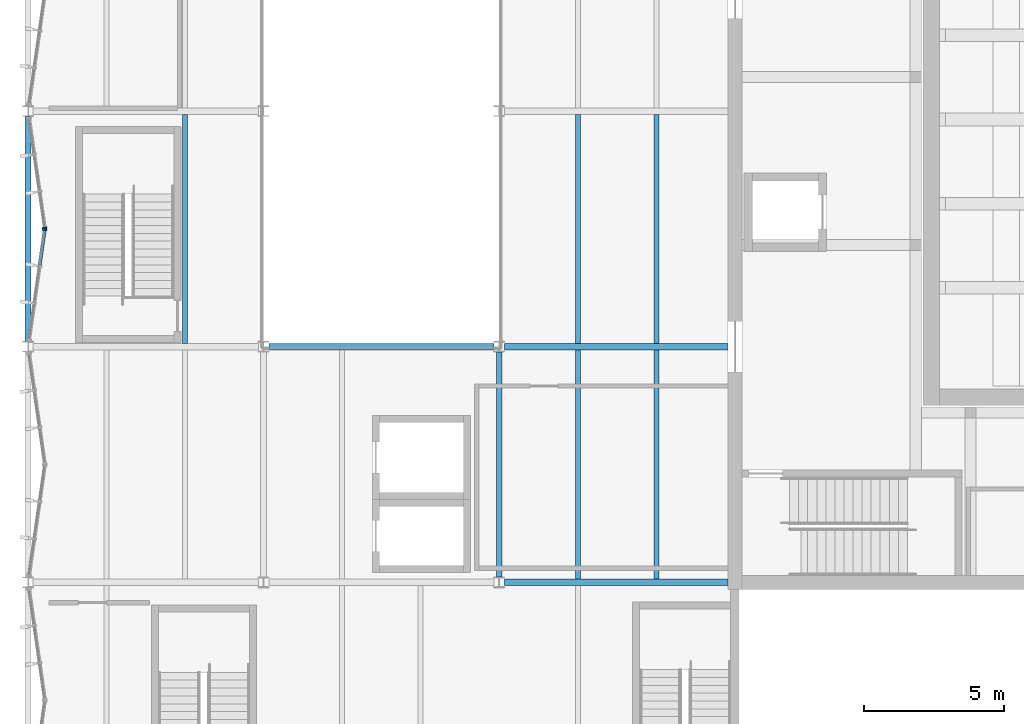
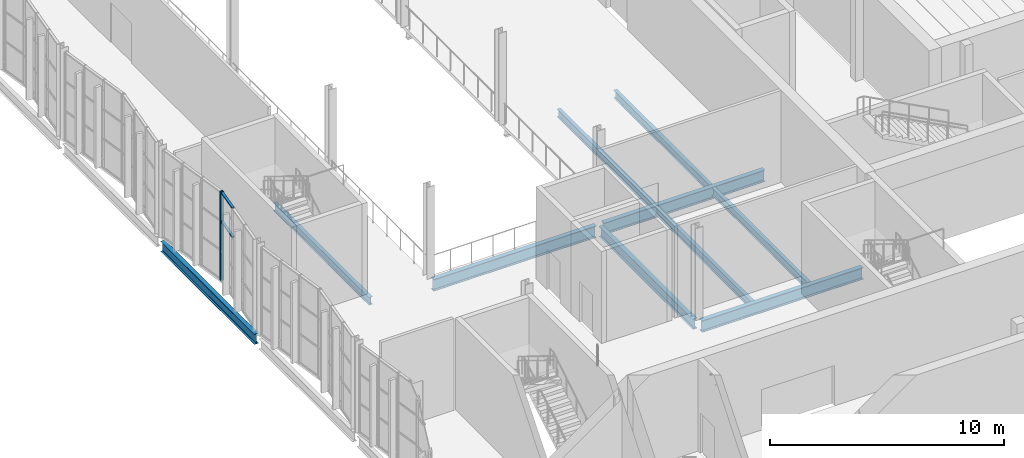
# One storey, part 20 of 127: 10 beams, 4 members, 2 elements without a shape of their own.
"""IFC4 building model written with IfcOpenShell, lengths in metres."""

from ifc_helpers import new_model, si_unit, direction, frame, origin, origin_2d, place, context, subcontext, project, spatial, rectangle, i_section, extrude, material, material_profile, profile_set, type_object, element, aggregate, save


model = new_model("IFC4")

# Units and contexts
model_context = context("Model", 3, precision=1e-05, world=origin(), true_north=direction((0.0, 1.0)))
body_context = subcontext(model_context, "Body", "Model", "MODEL_VIEW")
ifc_project = project(units=[si_unit("LENGTHUNIT", "METRE"), si_unit("AREAUNIT", "SQUARE_METRE"), si_unit("VOLUMEUNIT", "CUBIC_METRE"), si_unit("PLANEANGLEUNIT", "RADIAN"), si_unit("MASSUNIT", "GRAM", prefix="KILO")], contexts=[model_context])

# Site, building, storey
site_placement = place(None, origin())
site = spatial("IfcSite", under=ifc_project, at=site_placement, CompositionType="ELEMENT")
building_placement = place(site_placement, origin())
building = spatial("IfcBuilding", under=site, at=building_placement, Name="Ljudholm Concert House", CompositionType="ELEMENT")
storey_placement = place(building_placement, frame((0.0, 0.0, 5.39990234375)))
storey = spatial("IfcBuildingStorey", under=building, at=storey_placement, Name="L01", CompositionType="ELEMENT", Elevation=5.39990234375)

# Curtain wall, member
ifc_material_1 = material(Name="Aluminium curtain wall with impact-rated laminated glass", Category="aluminium")
curtain_wall_type = type_object("IfcCurtainWallType", Name="CURTAIN WALL 1400", PredefinedType="NOTDEFINED", material=ifc_material_1)
curtain_wall_1_placement = place(storey_placement, origin())
curtain_wall_1 = element("IfcCurtainWall", 1, at=curtain_wall_1_placement, inside=storey, type_object=curtain_wall_type, Name="Facade curtain wall", PredefinedType="NOTDEFINED")
ifc_material_2 = material(Name="Aluminium extrusion", Category="aluminium")
ifc_material_profile_1 = material_profile(ifc_material_2, rectangle(XDim=0.159912109375, YDim=0.06005859375, at=origin_2d()), Name="MULLION 60x160")
ifc_profile_set_1 = profile_set([ifc_material_profile_1], Name="Aluminium extrusion")
member_type_1 = type_object("IfcMemberType", Name="MULLION 60x160", PredefinedType="MULLION", material=ifc_profile_set_1)
member_1_placement = place(storey_placement, frame((4.595703125, 66.97021484375, 0.0), z_axis=(0.0, 0.0, 1.0), x_axis=(-0.989949493647, 0.141421356338, 0.0)))
member_1 = element("IfcMember", 2, at=member_1_placement, type_object=member_type_1, Name="Mullion", PredefinedType="MULLION", context=body_context, shape_type="SweptSolid", body=[
    extrude(rectangle(XDim=0.159912109375, YDim=0.06005859375, at=origin_2d()), origin(), (0.0, 0.0, 1.0), 4.6201171875),
])

curtain_wall_2_placement = place(storey_placement, origin())
curtain_wall_2 = element("IfcCurtainWall", 3, at=curtain_wall_2_placement, inside=storey, type_object=curtain_wall_type, Name="Facade curtain wall", PredefinedType="NOTDEFINED")
member_2_placement = place(storey_placement, frame((4.595703125, 67.02978515625, 0.0), z_axis=(0.0, 0.0, 1.0), x_axis=(-0.989949493647, -0.141421356338, 0.0)))
member_2 = element("IfcMember", 4, at=member_2_placement, type_object=member_type_1, Name="Mullion", PredefinedType="MULLION", context=body_context, shape_type="SweptSolid", body=[
    extrude(rectangle(XDim=0.159912109375, YDim=0.06005859375, at=origin_2d()), origin(), (0.0, 0.0, 1.0), 4.6201171875),
])
aggregate(curtain_wall_2, [member_2])

# Beams
ifc_material_3 = material(Name="Steel ASTM A992", Category="steel")
ifc_material_profile_2 = material_profile(ifc_material_3, i_section(OverallWidth=0.177734375, OverallDepth=0.406494140625, WebThickness=0.0078125, FlangeThickness=0.012939453125, FilletRadius=0.01025390625, at=origin_2d()), Name="W16X40")
ifc_profile_set_2 = profile_set([ifc_material_profile_2], Name="Steel ASTM A992")
beam_type_1 = type_object("IfcBeamType", Name="STEEL BEAM W16X40", PredefinedType="BEAM", material=ifc_profile_set_2)
for number, where, z_axis, x_axis, name in (
    (5, (9.60009765625, 62.91455078125, -0.383056640625), (0.0, 1.0, 0.0), (-1.0, 0.0, 0.0), "Secondary beam"),
    (6, (23.60009765625, 54.5146484375, -0.383056640625), (0.0, 1.0, 0.0), (-1.0, 0.0, 0.0), "Secondary beam"),
    (7, (23.60009765625, 62.91455078125, -0.383056640625), (0.0, 1.0, 0.0), (-1.0, 0.0, 0.0), "Secondary beam"),
    (8, (26.39990234375, 54.5146484375, -0.383056640625), (0.0, 1.0, 0.0), (-1.0, 0.0, 0.0), "Secondary beam"),
    (9, (26.39990234375, 62.91455078125, -0.383056640625), (0.0, 1.0, 0.0), (-1.0, 0.0, 0.0), "Secondary beam"),
):
    element("IfcBeam", number, at=place(storey_placement, frame(where, z_axis=z_axis, x_axis=x_axis)), inside=storey, type_object=beam_type_1, Name=name, PredefinedType="BEAM", context=body_context, shape_type="SweptSolid", body=[
        extrude(i_section(OverallWidth=0.177734375, OverallDepth=0.406494140625, WebThickness=0.0078125, FlangeThickness=0.012939453125, FilletRadius=0.01025390625, at=origin_2d()), origin(), (0.0, 0.0, 1.0), 8.1708984375),
    ])
ifc_material_4 = material(Name="Steel ASTM A992", Category="steel")
ifc_material_profile_3 = material_profile(ifc_material_4, i_section(OverallWidth=0.209228515625, OverallDepth=0.533447265625, WebThickness=0.01025390625, FlangeThickness=0.015625, FilletRadius=0.012939453125, at=origin_2d()), Name="W21X62")
ifc_profile_set_3 = profile_set([ifc_material_profile_3], Name="Steel ASTM A992")
beam_type_2 = type_object("IfcBeamType", Name="STEEL BEAM W21X62", PredefinedType="BEAM", material=ifc_profile_set_3)
beam_1_placement = place(storey_placement, frame((4.0, 62.986572265625, -0.446533203125), z_axis=(0.0, 1.0, 0.0), x_axis=(-1.0, 0.0, 0.0)))
element("IfcBeam", 10, at=beam_1_placement, inside=storey, type_object=beam_type_2, Name="Floor edge beam", PredefinedType="BEAM", context=body_context, shape_type="SweptSolid", body=[
    extrude(i_section(OverallWidth=0.209228515625, OverallDepth=0.533447265625, WebThickness=0.01025390625, FlangeThickness=0.015625, FilletRadius=0.012939453125, at=origin_2d()), origin(), (0.0, 0.0, 1.0), 8.02685546875),
])
beam_2_placement = place(storey_placement, frame((20.800048828125, 54.586669921875, -0.446533203125), z_axis=(0.0, 1.0, 0.0), x_axis=(-1.0, 0.0, 0.0)))
element("IfcBeam", 11, at=beam_2_placement, inside=storey, type_object=beam_type_2, Name="Floor edge beam", PredefinedType="BEAM", context=body_context, shape_type="SweptSolid", body=[
    extrude(i_section(OverallWidth=0.209228515625, OverallDepth=0.533447265625, WebThickness=0.01025390625, FlangeThickness=0.015625, FilletRadius=0.012939453125, at=origin_2d()), origin(), (0.0, 0.0, 1.0), 8.026611328125),
])
ifc_material_5 = material(Name="Steel ASTM A992", Category="steel")
ifc_material_profile_4 = material_profile(ifc_material_5, i_section(OverallWidth=0.22900390625, OverallDepth=0.612060546875, WebThickness=0.011962890625, FlangeThickness=0.01953125, FilletRadius=0.0126953125, at=origin_2d()), Name="W24X84")
ifc_profile_set_4 = profile_set([ifc_material_profile_4], Name="Steel ASTM A992")
beam_type_3 = type_object("IfcBeamType", Name="STEEL BEAM W24X84", PredefinedType="BEAM", material=ifc_profile_set_4)
beam_3_placement = place(storey_placement, frame((20.986572265625, 54.39990234375, -0.486083984375), z_axis=(1.0, 0.0, 0.0), x_axis=(0.0, 1.0, 0.0)))
element("IfcBeam", 12, at=beam_3_placement, inside=storey, type_object=beam_type_3, Name="Floor girder", PredefinedType="BEAM", context=body_context, shape_type="SweptSolid", body=[
    extrude(i_section(OverallWidth=0.22900390625, OverallDepth=0.612060546875, WebThickness=0.011962890625, FlangeThickness=0.01953125, FilletRadius=0.0126953125, at=origin_2d()), origin(), (0.0, 0.0, 1.0), 7.96337890625),
])
beam_4_placement = place(storey_placement, frame((12.586669921875, 62.800048828125, -0.486083984375), z_axis=(1.0, 0.0, 0.0), x_axis=(0.0, 1.0, 0.0)))
element("IfcBeam", 13, at=beam_4_placement, inside=storey, type_object=beam_type_3, Name="Floor girder", PredefinedType="BEAM", context=body_context, shape_type="SweptSolid", body=[
    extrude(i_section(OverallWidth=0.22900390625, OverallDepth=0.612060546875, WebThickness=0.011962890625, FlangeThickness=0.01953125, FilletRadius=0.0126953125, at=origin_2d()), origin(), (0.0, 0.0, 1.0), 8.026611328125),
])
beam_5_placement = place(storey_placement, frame((20.986572265625, 62.800048828125, -0.486083984375), z_axis=(1.0, 0.0, 0.0), x_axis=(0.0, 1.0, 0.0)))
element("IfcBeam", 14, at=beam_5_placement, inside=storey, type_object=beam_type_3, Name="Floor girder", PredefinedType="BEAM", context=body_context, shape_type="SweptSolid", body=[
    extrude(i_section(OverallWidth=0.22900390625, OverallDepth=0.612060546875, WebThickness=0.011962890625, FlangeThickness=0.01953125, FilletRadius=0.0126953125, at=origin_2d()), origin(), (0.0, 0.0, 1.0), 7.96337890625),
])

# Member
ifc_material_6 = material(Name="Aluminium extrusion", Category="aluminium")
ifc_material_profile_5 = material_profile(ifc_material_6, rectangle(XDim=0.1201171875, YDim=0.06005859375, at=origin_2d()), Name="TRANSOM 60x120")
ifc_profile_set_5 = profile_set([ifc_material_profile_5], Name="Aluminium extrusion")
member_type_2 = type_object("IfcMemberType", Name="TRANSOM 60x120", PredefinedType="USERDEFINED", material=ifc_profile_set_5)
member_3_placement = place(storey_placement, frame((4.41455078125, 65.702392578125, 3.080078125), z_axis=(0.141503330095, 0.989937779647, 0.0), x_axis=(-0.989937779647, 0.141503330095, 0.0)))
member_3 = element("IfcMember", 15, at=member_3_placement, type_object=member_type_2, Name="Transom", ObjectType="TRANSOM", PredefinedType="USERDEFINED", context=body_context, shape_type="SweptSolid", body=[
    extrude(rectangle(XDim=0.1201171875, YDim=0.06005859375, at=origin_2d()), origin(), (0.0, 0.0, 1.0), 1.2509765625),
])

member_4_placement = place(storey_placement, frame((4.41455078125, 65.702392578125, 4.590087890625), z_axis=(0.141503330095, 0.989937779647, 0.0), x_axis=(-0.989937779647, 0.141503330095, 0.0)))
member_4 = element("IfcMember", 16, at=member_4_placement, type_object=member_type_2, Name="Transom", ObjectType="TRANSOM", PredefinedType="USERDEFINED", context=body_context, shape_type="SweptSolid", body=[
    extrude(rectangle(XDim=0.1201171875, YDim=0.06005859375, at=origin_2d()), origin(), (0.0, 0.0, 1.0), 1.2509765625),
])

aggregate(curtain_wall_1, [member_1, member_3, member_4])

save(model, "model.ifc")
